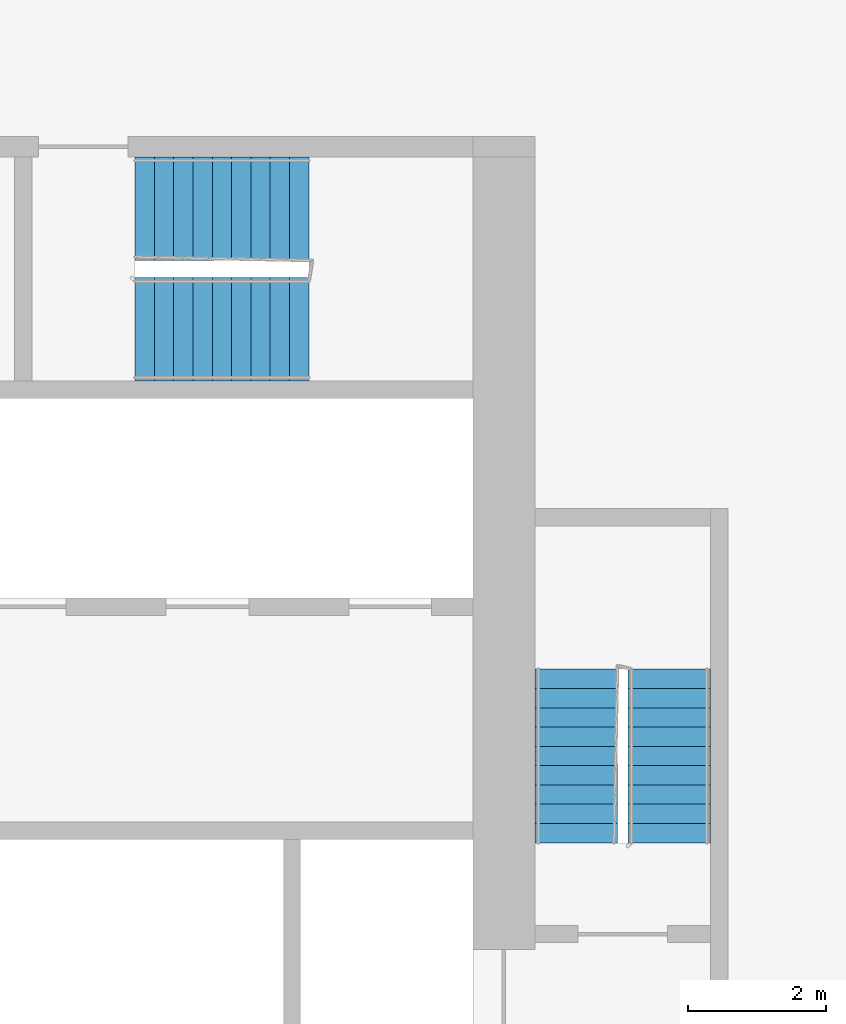
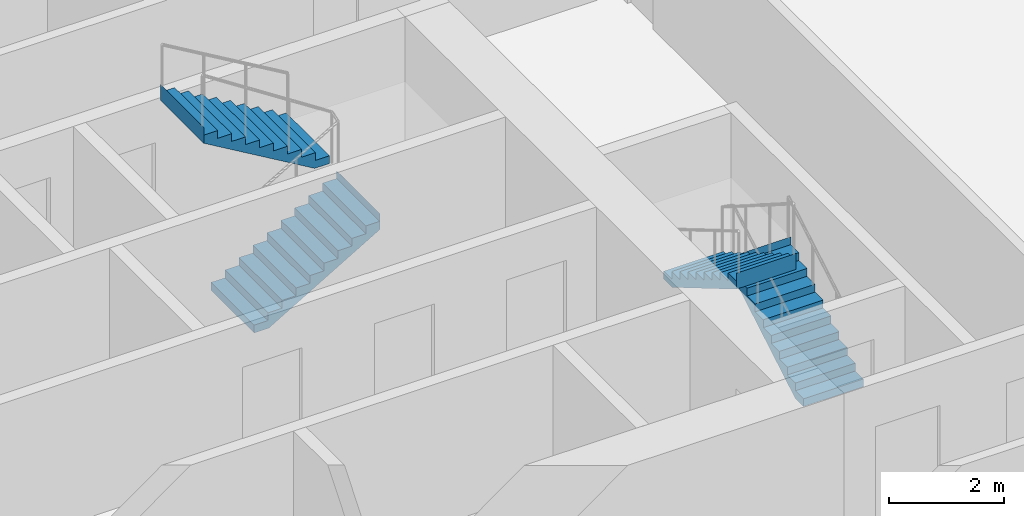
# One storey, part 11 of 12: 4 stair flights, 2 elements without a shape of their own.
"""IFC4 building model written with IfcOpenShell, lengths in metres."""

from ifc_helpers import new_model, si_unit, direction, frame, origin, place, context, subcontext, project, spatial, faceted_brep, material, type_object, element, aggregate, save


model = new_model("IFC4")

# Units and contexts
model_context = context("Model", 3, precision=1e-05, world=origin(), true_north=direction((0.0, 1.0)))
body_context = subcontext(model_context, "Body", "Model", "MODEL_VIEW")
ifc_project = project(units=[si_unit("LENGTHUNIT", "METRE"), si_unit("AREAUNIT", "SQUARE_METRE"), si_unit("VOLUMEUNIT", "CUBIC_METRE"), si_unit("PLANEANGLEUNIT", "RADIAN"), si_unit("MASSUNIT", "GRAM", prefix="KILO")], contexts=[model_context])

# Site, building, storey
site_placement = place(None, origin())
site = spatial("IfcSite", under=ifc_project, at=site_placement, CompositionType="ELEMENT")
building_placement = place(site_placement, origin())
building = spatial("IfcBuilding", under=site, at=building_placement, Name="Kajstack Hotel Tower", CompositionType="ELEMENT")
storey_placement = place(building_placement, frame((0.0, 0.0, 83.10009765625)))
storey = spatial("IfcBuildingStorey", under=building, at=storey_placement, Name="L16", CompositionType="ELEMENT", Elevation=83.10009765625)

# Stair, stair flights
ifc_material = material(Name="Concrete C40/50", Category="concrete")
stair_type_1 = type_object("IfcStairType", Name="Exit stair 1200", PredefinedType="HALF_TURN_STAIR", material=ifc_material)
stair_1_placement = place(storey_placement, origin())
stair_1 = element("IfcStair", 1, at=stair_1_placement, inside=storey, type_object=stair_type_1, Name="L16 stair E1", PredefinedType="HALF_TURN_STAIR")
stair_flight_type_1 = type_object("IfcStairFlightType", Name="Exit stair flight 1200", PredefinedType="STRAIGHT", material=ifc_material)
stair_flight_1_placement = place(storey_placement, frame((33.449951171875, 5.25, 0.0), z_axis=(0.0, 0.0, 1.0), x_axis=(0.0, 1.0, 0.0)))
stair_flight_1 = element("IfcStairFlight", 2, at=stair_flight_1_placement, type_object=stair_flight_type_1, Name="E1 flight 1", NumberOfRisers=10, NumberOfTreads=9, PredefinedType="STRAIGHT", RiserHeight=0.165, TreadLength=0.28, context=body_context, shape_type="Brep", body=[
    faceted_brep([(0.295654296875, -0.60009765625, 0.0), (2.5205078125, -0.60009765625, 1.31103515625), (2.5205078125, -0.60009765625, 1.64990234375), (2.52001953125, -0.60009765625, 1.64990234375), (2.52001953125, -0.60009765625, 1.485107421875), (2.239990234375, -0.60009765625, 1.485107421875), (2.239990234375, -0.60009765625, 1.320068359375), (1.9599609375, -0.60009765625, 1.320068359375), (1.9599609375, -0.60009765625, 1.155029296875), (1.679931640625, -0.60009765625, 1.155029296875), (1.679931640625, -0.60009765625, 0.989990234375), (1.39990234375, -0.60009765625, 0.989990234375), (1.39990234375, -0.60009765625, 0.824951171875), (1.1201171875, -0.60009765625, 0.824951171875), (1.1201171875, -0.60009765625, 0.659912109375), (0.840087890625, -0.60009765625, 0.659912109375), (0.840087890625, -0.60009765625, 0.4951171875), (0.56005859375, -0.60009765625, 0.4951171875), (0.56005859375, -0.60009765625, 0.330078125), (0.280029296875, -0.60009765625, 0.330078125), (0.280029296875, -0.60009765625, 0.1650390625), (-0.00048828125, -0.60009765625, 0.1650390625), (-0.00048828125, -0.60009765625, 0.0), (-0.00048828125, 0.60009765625, 0.0), (-0.00048828125, 0.60009765625, 0.1650390625), (0.280029296875, 0.60009765625, 0.1650390625), (0.280029296875, 0.60009765625, 0.330078125), (0.56005859375, 0.60009765625, 0.330078125), (0.56005859375, 0.60009765625, 0.4951171875), (0.840087890625, 0.60009765625, 0.4951171875), (0.840087890625, 0.60009765625, 0.659912109375), (1.1201171875, 0.60009765625, 0.659912109375), (1.1201171875, 0.60009765625, 0.824951171875), (1.39990234375, 0.60009765625, 0.824951171875), (1.39990234375, 0.60009765625, 0.989990234375), (1.679931640625, 0.60009765625, 0.989990234375), (1.679931640625, 0.60009765625, 1.155029296875), (1.9599609375, 0.60009765625, 1.155029296875), (1.9599609375, 0.60009765625, 1.320068359375), (2.239990234375, 0.60009765625, 1.320068359375), (2.239990234375, 0.60009765625, 1.485107421875), (2.52001953125, 0.60009765625, 1.485107421875), (2.52001953125, 0.60009765625, 1.64990234375), (2.5205078125, 0.60009765625, 1.64990234375), (2.5205078125, 0.60009765625, 1.31103515625), (0.295654296875, 0.60009765625, 0.0), (-0.00048828125, -0.300048828125, 0.1650390625), (-0.00048828125, 0.0, 0.1650390625), (-0.00048828125, 0.300048828125, 0.1650390625), (-0.00048828125, 0.300048828125, 0.0), (-0.00048828125, 0.0, 0.0), (-0.00048828125, -0.300048828125, 0.0), (0.280029296875, -0.300048828125, 0.1650390625), (0.280029296875, 0.0, 0.1650390625), (0.280029296875, 0.300048828125, 0.1650390625), (0.280029296875, -0.300048828125, 0.330078125), (0.280029296875, 0.0, 0.330078125), (0.280029296875, 0.300048828125, 0.330078125), (0.56005859375, -0.300048828125, 0.330078125), (0.56005859375, 0.0, 0.330078125), (0.56005859375, 0.300048828125, 0.330078125), (0.56005859375, -0.300048828125, 0.4951171875), (0.56005859375, 0.0, 0.4951171875), (0.56005859375, 0.300048828125, 0.4951171875), (0.840087890625, -0.300048828125, 0.4951171875), (0.840087890625, 0.0, 0.4951171875), (0.840087890625, 0.300048828125, 0.4951171875), (0.840087890625, -0.300048828125, 0.659912109375), (0.840087890625, 0.0, 0.659912109375), (0.840087890625, 0.300048828125, 0.659912109375), (1.1201171875, -0.300048828125, 0.659912109375), (1.1201171875, 0.0, 0.659912109375), (1.1201171875, 0.300048828125, 0.659912109375), (1.1201171875, -0.300048828125, 0.824951171875), (1.1201171875, 0.0, 0.824951171875), (1.1201171875, 0.300048828125, 0.824951171875), (1.39990234375, -0.300048828125, 0.824951171875), (1.39990234375, 0.0, 0.824951171875), (1.39990234375, 0.300048828125, 0.824951171875), (1.39990234375, -0.300048828125, 0.989990234375), (1.39990234375, 0.0, 0.989990234375), (1.39990234375, 0.300048828125, 0.989990234375), (1.679931640625, -0.300048828125, 0.989990234375), (1.679931640625, 0.0, 0.989990234375), (1.679931640625, 0.300048828125, 0.989990234375), (1.679931640625, -0.300048828125, 1.155029296875), (1.679931640625, 0.0, 1.155029296875), (1.679931640625, 0.300048828125, 1.155029296875), (1.9599609375, -0.300048828125, 1.155029296875), (1.9599609375, 0.0, 1.155029296875), (1.9599609375, 0.300048828125, 1.155029296875), (1.9599609375, -0.300048828125, 1.320068359375), (1.9599609375, 0.0, 1.320068359375), (1.9599609375, 0.300048828125, 1.320068359375), (2.239990234375, -0.300048828125, 1.320068359375), (2.239990234375, 0.0, 1.320068359375), (2.239990234375, 0.300048828125, 1.320068359375), (2.239990234375, -0.300048828125, 1.485107421875), (2.239990234375, 0.0, 1.485107421875), (2.239990234375, 0.300048828125, 1.485107421875), (2.52001953125, -0.300048828125, 1.485107421875), (2.52001953125, 0.0, 1.485107421875), (2.52001953125, 0.300048828125, 1.485107421875), (2.52001953125, -0.300048828125, 1.64990234375), (2.52001953125, 0.0, 1.64990234375), (2.52001953125, 0.300048828125, 1.64990234375), (2.5205078125, -0.300048828125, 1.64990234375), (2.5205078125, 0.0, 1.64990234375), (2.5205078125, 0.300048828125, 1.64990234375), (2.5205078125, -0.300048828125, 1.31103515625), (2.5205078125, 0.0, 1.31103515625), (2.5205078125, 0.300048828125, 1.31103515625), (0.295654296875, -0.300048828125, 0.0), (0.295654296875, 0.0, 0.0), (0.295654296875, 0.300048828125, 0.0)], [[[0, 1, 2, 3, 4, 5, 6, 7, 8, 9, 10, 11, 12, 13, 14, 15, 16, 17, 18, 19, 20, 21, 22]], [[23, 24, 25, 26, 27, 28, 29, 30, 31, 32, 33, 34, 35, 36, 37, 38, 39, 40, 41, 42, 43, 44, 45]], [[21, 46, 47, 48, 24, 23, 49, 50, 51, 22]], [[20, 52, 53, 54, 25, 24, 48, 47, 46, 21]], [[19, 55, 56, 57, 26, 25, 54, 53, 52, 20]], [[18, 58, 59, 60, 27, 26, 57, 56, 55, 19]], [[17, 61, 62, 63, 28, 27, 60, 59, 58, 18]], [[16, 64, 65, 66, 29, 28, 63, 62, 61, 17]], [[15, 67, 68, 69, 30, 29, 66, 65, 64, 16]], [[14, 70, 71, 72, 31, 30, 69, 68, 67, 15]], [[13, 73, 74, 75, 32, 31, 72, 71, 70, 14]], [[12, 76, 77, 78, 33, 32, 75, 74, 73, 13]], [[11, 79, 80, 81, 34, 33, 78, 77, 76, 12]], [[10, 82, 83, 84, 35, 34, 81, 80, 79, 11]], [[9, 85, 86, 87, 36, 35, 84, 83, 82, 10]], [[8, 88, 89, 90, 37, 36, 87, 86, 85, 9]], [[7, 91, 92, 93, 38, 37, 90, 89, 88, 8]], [[6, 94, 95, 96, 39, 38, 93, 92, 91, 7]], [[5, 97, 98, 99, 40, 39, 96, 95, 94, 6]], [[4, 100, 101, 102, 41, 40, 99, 98, 97, 5]], [[3, 103, 104, 105, 42, 41, 102, 101, 100, 4]], [[2, 106, 107, 108, 43, 42, 105, 104, 103, 3]], [[1, 109, 110, 111, 44, 43, 108, 107, 106, 2]], [[0, 112, 113, 114, 45, 44, 111, 110, 109, 1]], [[22, 51, 50, 49, 23, 45, 114, 113, 112, 0]]]),
])
stair_flight_2_placement = place(storey_placement, frame((32.10009765625, 7.77001953125, 1.64990234375), z_axis=(0.0, 0.0, 1.0), x_axis=(0.0, -1.0, 0.0)))
stair_flight_2 = element("IfcStairFlight", 3, at=stair_flight_2_placement, type_object=stair_flight_type_1, Name="E1 flight 2", NumberOfRisers=10, NumberOfTreads=9, PredefinedType="STRAIGHT", RiserHeight=0.165, TreadLength=0.28, context=body_context, shape_type="Brep", body=[
    faceted_brep([(0.295654296875, -0.60009765625, 0.0), (2.5205078125, -0.60009765625, 1.31103515625), (2.5205078125, -0.60009765625, 1.64990234375), (2.52001953125, -0.60009765625, 1.64990234375), (2.52001953125, -0.60009765625, 1.485107421875), (2.239990234375, -0.60009765625, 1.485107421875), (2.239990234375, -0.60009765625, 1.320068359375), (1.9599609375, -0.60009765625, 1.320068359375), (1.9599609375, -0.60009765625, 1.155029296875), (1.679931640625, -0.60009765625, 1.155029296875), (1.679931640625, -0.60009765625, 0.989990234375), (1.39990234375, -0.60009765625, 0.989990234375), (1.39990234375, -0.60009765625, 0.824951171875), (1.1201171875, -0.60009765625, 0.824951171875), (1.1201171875, -0.60009765625, 0.659912109375), (0.840087890625, -0.60009765625, 0.659912109375), (0.840087890625, -0.60009765625, 0.4951171875), (0.56005859375, -0.60009765625, 0.4951171875), (0.56005859375, -0.60009765625, 0.330078125), (0.280029296875, -0.60009765625, 0.330078125), (0.280029296875, -0.60009765625, 0.1650390625), (-0.00048828125, -0.60009765625, 0.1650390625), (-0.00048828125, -0.60009765625, 0.0), (-0.00048828125, 0.60009765625, 0.0), (-0.00048828125, 0.60009765625, 0.1650390625), (0.280029296875, 0.60009765625, 0.1650390625), (0.280029296875, 0.60009765625, 0.330078125), (0.56005859375, 0.60009765625, 0.330078125), (0.56005859375, 0.60009765625, 0.4951171875), (0.840087890625, 0.60009765625, 0.4951171875), (0.840087890625, 0.60009765625, 0.659912109375), (1.1201171875, 0.60009765625, 0.659912109375), (1.1201171875, 0.60009765625, 0.824951171875), (1.39990234375, 0.60009765625, 0.824951171875), (1.39990234375, 0.60009765625, 0.989990234375), (1.679931640625, 0.60009765625, 0.989990234375), (1.679931640625, 0.60009765625, 1.155029296875), (1.9599609375, 0.60009765625, 1.155029296875), (1.9599609375, 0.60009765625, 1.320068359375), (2.239990234375, 0.60009765625, 1.320068359375), (2.239990234375, 0.60009765625, 1.485107421875), (2.52001953125, 0.60009765625, 1.485107421875), (2.52001953125, 0.60009765625, 1.64990234375), (2.5205078125, 0.60009765625, 1.64990234375), (2.5205078125, 0.60009765625, 1.31103515625), (0.295654296875, 0.60009765625, 0.0), (-0.00048828125, -0.300048828125, 0.1650390625), (-0.00048828125, 0.0, 0.1650390625), (-0.00048828125, 0.300048828125, 0.1650390625), (-0.00048828125, 0.300048828125, 0.0), (-0.00048828125, 0.0, 0.0), (-0.00048828125, -0.300048828125, 0.0), (0.280029296875, -0.300048828125, 0.1650390625), (0.280029296875, 0.0, 0.1650390625), (0.280029296875, 0.300048828125, 0.1650390625), (0.280029296875, -0.300048828125, 0.330078125), (0.280029296875, 0.0, 0.330078125), (0.280029296875, 0.300048828125, 0.330078125), (0.56005859375, -0.300048828125, 0.330078125), (0.56005859375, 0.0, 0.330078125), (0.56005859375, 0.300048828125, 0.330078125), (0.56005859375, -0.300048828125, 0.4951171875), (0.56005859375, 0.0, 0.4951171875), (0.56005859375, 0.300048828125, 0.4951171875), (0.840087890625, -0.300048828125, 0.4951171875), (0.840087890625, 0.0, 0.4951171875), (0.840087890625, 0.300048828125, 0.4951171875), (0.840087890625, -0.300048828125, 0.659912109375), (0.840087890625, 0.0, 0.659912109375), (0.840087890625, 0.300048828125, 0.659912109375), (1.1201171875, -0.300048828125, 0.659912109375), (1.1201171875, 0.0, 0.659912109375), (1.1201171875, 0.300048828125, 0.659912109375), (1.1201171875, -0.300048828125, 0.824951171875), (1.1201171875, 0.0, 0.824951171875), (1.1201171875, 0.300048828125, 0.824951171875), (1.39990234375, -0.300048828125, 0.824951171875), (1.39990234375, 0.0, 0.824951171875), (1.39990234375, 0.300048828125, 0.824951171875), (1.39990234375, -0.300048828125, 0.989990234375), (1.39990234375, 0.0, 0.989990234375), (1.39990234375, 0.300048828125, 0.989990234375), (1.679931640625, -0.300048828125, 0.989990234375), (1.679931640625, 0.0, 0.989990234375), (1.679931640625, 0.300048828125, 0.989990234375), (1.679931640625, -0.300048828125, 1.155029296875), (1.679931640625, 0.0, 1.155029296875), (1.679931640625, 0.300048828125, 1.155029296875), (1.9599609375, -0.300048828125, 1.155029296875), (1.9599609375, 0.0, 1.155029296875), (1.9599609375, 0.300048828125, 1.155029296875), (1.9599609375, -0.300048828125, 1.320068359375), (1.9599609375, 0.0, 1.320068359375), (1.9599609375, 0.300048828125, 1.320068359375), (2.239990234375, -0.300048828125, 1.320068359375), (2.239990234375, 0.0, 1.320068359375), (2.239990234375, 0.300048828125, 1.320068359375), (2.239990234375, -0.300048828125, 1.485107421875), (2.239990234375, 0.0, 1.485107421875), (2.239990234375, 0.300048828125, 1.485107421875), (2.52001953125, -0.300048828125, 1.485107421875), (2.52001953125, 0.0, 1.485107421875), (2.52001953125, 0.300048828125, 1.485107421875), (2.52001953125, -0.300048828125, 1.64990234375), (2.52001953125, 0.0, 1.64990234375), (2.52001953125, 0.300048828125, 1.64990234375), (2.5205078125, -0.300048828125, 1.64990234375), (2.5205078125, 0.0, 1.64990234375), (2.5205078125, 0.300048828125, 1.64990234375), (2.5205078125, -0.300048828125, 1.31103515625), (2.5205078125, 0.0, 1.31103515625), (2.5205078125, 0.300048828125, 1.31103515625), (0.295654296875, -0.300048828125, 0.0), (0.295654296875, 0.0, 0.0), (0.295654296875, 0.300048828125, 0.0)], [[[0, 1, 2, 3, 4, 5, 6, 7, 8, 9, 10, 11, 12, 13, 14, 15, 16, 17, 18, 19, 20, 21, 22]], [[23, 24, 25, 26, 27, 28, 29, 30, 31, 32, 33, 34, 35, 36, 37, 38, 39, 40, 41, 42, 43, 44, 45]], [[21, 46, 47, 48, 24, 23, 49, 50, 51, 22]], [[20, 52, 53, 54, 25, 24, 48, 47, 46, 21]], [[19, 55, 56, 57, 26, 25, 54, 53, 52, 20]], [[18, 58, 59, 60, 27, 26, 57, 56, 55, 19]], [[17, 61, 62, 63, 28, 27, 60, 59, 58, 18]], [[16, 64, 65, 66, 29, 28, 63, 62, 61, 17]], [[15, 67, 68, 69, 30, 29, 66, 65, 64, 16]], [[14, 70, 71, 72, 31, 30, 69, 68, 67, 15]], [[13, 73, 74, 75, 32, 31, 72, 71, 70, 14]], [[12, 76, 77, 78, 33, 32, 75, 74, 73, 13]], [[11, 79, 80, 81, 34, 33, 78, 77, 76, 12]], [[10, 82, 83, 84, 35, 34, 81, 80, 79, 11]], [[9, 85, 86, 87, 36, 35, 84, 83, 82, 10]], [[8, 88, 89, 90, 37, 36, 87, 86, 85, 9]], [[7, 91, 92, 93, 38, 37, 90, 89, 88, 8]], [[6, 94, 95, 96, 39, 38, 93, 92, 91, 7]], [[5, 97, 98, 99, 40, 39, 96, 95, 94, 6]], [[4, 100, 101, 102, 41, 40, 99, 98, 97, 5]], [[3, 103, 104, 105, 42, 41, 102, 101, 100, 4]], [[2, 106, 107, 108, 43, 42, 105, 104, 103, 3]], [[1, 109, 110, 111, 44, 43, 108, 107, 106, 2]], [[0, 112, 113, 114, 45, 44, 111, 110, 109, 1]], [[22, 51, 50, 49, 23, 45, 114, 113, 112, 0]]]),
])
aggregate(stair_1, [stair_flight_1, stair_flight_2])

stair_type_2 = type_object("IfcStairType", Name="Exit stair 1500", PredefinedType="HALF_TURN_STAIR", material=ifc_material)
stair_2_placement = place(storey_placement, origin())
stair_2 = element("IfcStair", 4, at=stair_2_placement, inside=storey, type_object=stair_type_2, Name="L16 stair E3", PredefinedType="HALF_TURN_STAIR")
stair_flight_type_2 = type_object("IfcStairFlightType", Name="Exit stair flight 1500", PredefinedType="STRAIGHT", material=ifc_material)
stair_flight_3_placement = place(storey_placement, frame((25.699951171875, 12.699951171875, 0.0), z_axis=(0.0, 0.0, 1.0), x_axis=(1.0, 0.0, 0.0)))
stair_flight_3 = element("IfcStairFlight", 5, at=stair_flight_3_placement, type_object=stair_flight_type_2, Name="E3 flight 1", NumberOfRisers=10, NumberOfTreads=9, PredefinedType="STRAIGHT", RiserHeight=0.165, TreadLength=0.28, context=body_context, shape_type="Brep", body=[
    faceted_brep([(0.295654296875, -0.75, 0.0), (2.5205078125, -0.75, 1.31103515625), (2.5205078125, -0.75, 1.64990234375), (2.52001953125, -0.75, 1.64990234375), (2.52001953125, -0.75, 1.485107421875), (2.239990234375, -0.75, 1.485107421875), (2.239990234375, -0.75, 1.320068359375), (1.9599609375, -0.75, 1.320068359375), (1.9599609375, -0.75, 1.155029296875), (1.679931640625, -0.75, 1.155029296875), (1.679931640625, -0.75, 0.989990234375), (1.39990234375, -0.75, 0.989990234375), (1.39990234375, -0.75, 0.824951171875), (1.1201171875, -0.75, 0.824951171875), (1.1201171875, -0.75, 0.659912109375), (0.840087890625, -0.75, 0.659912109375), (0.840087890625, -0.75, 0.4951171875), (0.56005859375, -0.75, 0.4951171875), (0.56005859375, -0.75, 0.330078125), (0.280029296875, -0.75, 0.330078125), (0.280029296875, -0.75, 0.1650390625), (-0.00048828125, -0.75, 0.1650390625), (-0.00048828125, -0.75, 0.0), (-0.00048828125, 0.75, 0.0), (-0.00048828125, 0.75, 0.1650390625), (0.280029296875, 0.75, 0.1650390625), (0.280029296875, 0.75, 0.330078125), (0.56005859375, 0.75, 0.330078125), (0.56005859375, 0.75, 0.4951171875), (0.840087890625, 0.75, 0.4951171875), (0.840087890625, 0.75, 0.659912109375), (1.1201171875, 0.75, 0.659912109375), (1.1201171875, 0.75, 0.824951171875), (1.39990234375, 0.75, 0.824951171875), (1.39990234375, 0.75, 0.989990234375), (1.679931640625, 0.75, 0.989990234375), (1.679931640625, 0.75, 1.155029296875), (1.9599609375, 0.75, 1.155029296875), (1.9599609375, 0.75, 1.320068359375), (2.239990234375, 0.75, 1.320068359375), (2.239990234375, 0.75, 1.485107421875), (2.52001953125, 0.75, 1.485107421875), (2.52001953125, 0.75, 1.64990234375), (2.5205078125, 0.75, 1.64990234375), (2.5205078125, 0.75, 1.31103515625), (0.295654296875, 0.75, 0.0), (-0.00048828125, -0.375, 0.1650390625), (-0.00048828125, 0.0, 0.1650390625), (-0.00048828125, 0.375, 0.1650390625), (-0.00048828125, 0.375, 0.0), (-0.00048828125, 0.0, 0.0), (-0.00048828125, -0.375, 0.0), (0.280029296875, -0.375, 0.1650390625), (0.280029296875, 0.0, 0.1650390625), (0.280029296875, 0.375, 0.1650390625), (0.280029296875, -0.375, 0.330078125), (0.280029296875, 0.0, 0.330078125), (0.280029296875, 0.375, 0.330078125), (0.56005859375, -0.375, 0.330078125), (0.56005859375, 0.0, 0.330078125), (0.56005859375, 0.375, 0.330078125), (0.56005859375, -0.375, 0.4951171875), (0.56005859375, 0.0, 0.4951171875), (0.56005859375, 0.375, 0.4951171875), (0.840087890625, -0.375, 0.4951171875), (0.840087890625, 0.0, 0.4951171875), (0.840087890625, 0.375, 0.4951171875), (0.840087890625, -0.375, 0.659912109375), (0.840087890625, 0.0, 0.659912109375), (0.840087890625, 0.375, 0.659912109375), (1.1201171875, -0.375, 0.659912109375), (1.1201171875, 0.0, 0.659912109375), (1.1201171875, 0.375, 0.659912109375), (1.1201171875, -0.375, 0.824951171875), (1.1201171875, 0.0, 0.824951171875), (1.1201171875, 0.375, 0.824951171875), (1.39990234375, -0.375, 0.824951171875), (1.39990234375, 0.0, 0.824951171875), (1.39990234375, 0.375, 0.824951171875), (1.39990234375, -0.375, 0.989990234375), (1.39990234375, 0.0, 0.989990234375), (1.39990234375, 0.375, 0.989990234375), (1.679931640625, -0.375, 0.989990234375), (1.679931640625, 0.0, 0.989990234375), (1.679931640625, 0.375, 0.989990234375), (1.679931640625, -0.375, 1.155029296875), (1.679931640625, 0.0, 1.155029296875), (1.679931640625, 0.375, 1.155029296875), (1.9599609375, -0.375, 1.155029296875), (1.9599609375, 0.0, 1.155029296875), (1.9599609375, 0.375, 1.155029296875), (1.9599609375, -0.375, 1.320068359375), (1.9599609375, 0.0, 1.320068359375), (1.9599609375, 0.375, 1.320068359375), (2.239990234375, -0.375, 1.320068359375), (2.239990234375, 0.0, 1.320068359375), (2.239990234375, 0.375, 1.320068359375), (2.239990234375, -0.375, 1.485107421875), (2.239990234375, 0.0, 1.485107421875), (2.239990234375, 0.375, 1.485107421875), (2.52001953125, -0.375, 1.485107421875), (2.52001953125, 0.0, 1.485107421875), (2.52001953125, 0.375, 1.485107421875), (2.52001953125, -0.375, 1.64990234375), (2.52001953125, 0.0, 1.64990234375), (2.52001953125, 0.375, 1.64990234375), (2.5205078125, -0.375, 1.64990234375), (2.5205078125, 0.0, 1.64990234375), (2.5205078125, 0.375, 1.64990234375), (2.5205078125, -0.375, 1.31103515625), (2.5205078125, 0.0, 1.31103515625), (2.5205078125, 0.375, 1.31103515625), (0.295654296875, -0.375, 0.0), (0.295654296875, 0.0, 0.0), (0.295654296875, 0.375, 0.0)], [[[0, 1, 2, 3, 4, 5, 6, 7, 8, 9, 10, 11, 12, 13, 14, 15, 16, 17, 18, 19, 20, 21, 22]], [[23, 24, 25, 26, 27, 28, 29, 30, 31, 32, 33, 34, 35, 36, 37, 38, 39, 40, 41, 42, 43, 44, 45]], [[21, 46, 47, 48, 24, 23, 49, 50, 51, 22]], [[20, 52, 53, 54, 25, 24, 48, 47, 46, 21]], [[19, 55, 56, 57, 26, 25, 54, 53, 52, 20]], [[18, 58, 59, 60, 27, 26, 57, 56, 55, 19]], [[17, 61, 62, 63, 28, 27, 60, 59, 58, 18]], [[16, 64, 65, 66, 29, 28, 63, 62, 61, 17]], [[15, 67, 68, 69, 30, 29, 66, 65, 64, 16]], [[14, 70, 71, 72, 31, 30, 69, 68, 67, 15]], [[13, 73, 74, 75, 32, 31, 72, 71, 70, 14]], [[12, 76, 77, 78, 33, 32, 75, 74, 73, 13]], [[11, 79, 80, 81, 34, 33, 78, 77, 76, 12]], [[10, 82, 83, 84, 35, 34, 81, 80, 79, 11]], [[9, 85, 86, 87, 36, 35, 84, 83, 82, 10]], [[8, 88, 89, 90, 37, 36, 87, 86, 85, 9]], [[7, 91, 92, 93, 38, 37, 90, 89, 88, 8]], [[6, 94, 95, 96, 39, 38, 93, 92, 91, 7]], [[5, 97, 98, 99, 40, 39, 96, 95, 94, 6]], [[4, 100, 101, 102, 41, 40, 99, 98, 97, 5]], [[3, 103, 104, 105, 42, 41, 102, 101, 100, 4]], [[2, 106, 107, 108, 43, 42, 105, 104, 103, 3]], [[1, 109, 110, 111, 44, 43, 108, 107, 106, 2]], [[0, 112, 113, 114, 45, 44, 111, 110, 109, 1]], [[22, 51, 50, 49, 23, 45, 114, 113, 112, 0]]]),
])
stair_flight_4_placement = place(storey_placement, frame((28.219970703125, 14.449951171875, 1.64990234375), z_axis=(0.0, 0.0, 1.0), x_axis=(-1.0, 0.0, 0.0)))
stair_flight_4 = element("IfcStairFlight", 6, at=stair_flight_4_placement, type_object=stair_flight_type_2, Name="E3 flight 2", NumberOfRisers=10, NumberOfTreads=9, PredefinedType="STRAIGHT", RiserHeight=0.165, TreadLength=0.28, context=body_context, shape_type="Brep", body=[
    faceted_brep([(0.295654296875, -0.75, 0.0), (2.5205078125, -0.75, 1.31103515625), (2.5205078125, -0.75, 1.64990234375), (2.52001953125, -0.75, 1.64990234375), (2.52001953125, -0.75, 1.485107421875), (2.239990234375, -0.75, 1.485107421875), (2.239990234375, -0.75, 1.320068359375), (1.9599609375, -0.75, 1.320068359375), (1.9599609375, -0.75, 1.155029296875), (1.679931640625, -0.75, 1.155029296875), (1.679931640625, -0.75, 0.989990234375), (1.39990234375, -0.75, 0.989990234375), (1.39990234375, -0.75, 0.824951171875), (1.1201171875, -0.75, 0.824951171875), (1.1201171875, -0.75, 0.659912109375), (0.840087890625, -0.75, 0.659912109375), (0.840087890625, -0.75, 0.4951171875), (0.56005859375, -0.75, 0.4951171875), (0.56005859375, -0.75, 0.330078125), (0.280029296875, -0.75, 0.330078125), (0.280029296875, -0.75, 0.1650390625), (-0.00048828125, -0.75, 0.1650390625), (-0.00048828125, -0.75, 0.0), (-0.00048828125, 0.75, 0.0), (-0.00048828125, 0.75, 0.1650390625), (0.280029296875, 0.75, 0.1650390625), (0.280029296875, 0.75, 0.330078125), (0.56005859375, 0.75, 0.330078125), (0.56005859375, 0.75, 0.4951171875), (0.840087890625, 0.75, 0.4951171875), (0.840087890625, 0.75, 0.659912109375), (1.1201171875, 0.75, 0.659912109375), (1.1201171875, 0.75, 0.824951171875), (1.39990234375, 0.75, 0.824951171875), (1.39990234375, 0.75, 0.989990234375), (1.679931640625, 0.75, 0.989990234375), (1.679931640625, 0.75, 1.155029296875), (1.9599609375, 0.75, 1.155029296875), (1.9599609375, 0.75, 1.320068359375), (2.239990234375, 0.75, 1.320068359375), (2.239990234375, 0.75, 1.485107421875), (2.52001953125, 0.75, 1.485107421875), (2.52001953125, 0.75, 1.64990234375), (2.5205078125, 0.75, 1.64990234375), (2.5205078125, 0.75, 1.31103515625), (0.295654296875, 0.75, 0.0), (-0.00048828125, -0.375, 0.1650390625), (-0.00048828125, 0.0, 0.1650390625), (-0.00048828125, 0.375, 0.1650390625), (-0.00048828125, 0.375, 0.0), (-0.00048828125, 0.0, 0.0), (-0.00048828125, -0.375, 0.0), (0.280029296875, -0.375, 0.1650390625), (0.280029296875, 0.0, 0.1650390625), (0.280029296875, 0.375, 0.1650390625), (0.280029296875, -0.375, 0.330078125), (0.280029296875, 0.0, 0.330078125), (0.280029296875, 0.375, 0.330078125), (0.56005859375, -0.375, 0.330078125), (0.56005859375, 0.0, 0.330078125), (0.56005859375, 0.375, 0.330078125), (0.56005859375, -0.375, 0.4951171875), (0.56005859375, 0.0, 0.4951171875), (0.56005859375, 0.375, 0.4951171875), (0.840087890625, -0.375, 0.4951171875), (0.840087890625, 0.0, 0.4951171875), (0.840087890625, 0.375, 0.4951171875), (0.840087890625, -0.375, 0.659912109375), (0.840087890625, 0.0, 0.659912109375), (0.840087890625, 0.375, 0.659912109375), (1.1201171875, -0.375, 0.659912109375), (1.1201171875, 0.0, 0.659912109375), (1.1201171875, 0.375, 0.659912109375), (1.1201171875, -0.375, 0.824951171875), (1.1201171875, 0.0, 0.824951171875), (1.1201171875, 0.375, 0.824951171875), (1.39990234375, -0.375, 0.824951171875), (1.39990234375, 0.0, 0.824951171875), (1.39990234375, 0.375, 0.824951171875), (1.39990234375, -0.375, 0.989990234375), (1.39990234375, 0.0, 0.989990234375), (1.39990234375, 0.375, 0.989990234375), (1.679931640625, -0.375, 0.989990234375), (1.679931640625, 0.0, 0.989990234375), (1.679931640625, 0.375, 0.989990234375), (1.679931640625, -0.375, 1.155029296875), (1.679931640625, 0.0, 1.155029296875), (1.679931640625, 0.375, 1.155029296875), (1.9599609375, -0.375, 1.155029296875), (1.9599609375, 0.0, 1.155029296875), (1.9599609375, 0.375, 1.155029296875), (1.9599609375, -0.375, 1.320068359375), (1.9599609375, 0.0, 1.320068359375), (1.9599609375, 0.375, 1.320068359375), (2.239990234375, -0.375, 1.320068359375), (2.239990234375, 0.0, 1.320068359375), (2.239990234375, 0.375, 1.320068359375), (2.239990234375, -0.375, 1.485107421875), (2.239990234375, 0.0, 1.485107421875), (2.239990234375, 0.375, 1.485107421875), (2.52001953125, -0.375, 1.485107421875), (2.52001953125, 0.0, 1.485107421875), (2.52001953125, 0.375, 1.485107421875), (2.52001953125, -0.375, 1.64990234375), (2.52001953125, 0.0, 1.64990234375), (2.52001953125, 0.375, 1.64990234375), (2.5205078125, -0.375, 1.64990234375), (2.5205078125, 0.0, 1.64990234375), (2.5205078125, 0.375, 1.64990234375), (2.5205078125, -0.375, 1.31103515625), (2.5205078125, 0.0, 1.31103515625), (2.5205078125, 0.375, 1.31103515625), (0.295654296875, -0.375, 0.0), (0.295654296875, 0.0, 0.0), (0.295654296875, 0.375, 0.0)], [[[0, 1, 2, 3, 4, 5, 6, 7, 8, 9, 10, 11, 12, 13, 14, 15, 16, 17, 18, 19, 20, 21, 22]], [[23, 24, 25, 26, 27, 28, 29, 30, 31, 32, 33, 34, 35, 36, 37, 38, 39, 40, 41, 42, 43, 44, 45]], [[21, 46, 47, 48, 24, 23, 49, 50, 51, 22]], [[20, 52, 53, 54, 25, 24, 48, 47, 46, 21]], [[19, 55, 56, 57, 26, 25, 54, 53, 52, 20]], [[18, 58, 59, 60, 27, 26, 57, 56, 55, 19]], [[17, 61, 62, 63, 28, 27, 60, 59, 58, 18]], [[16, 64, 65, 66, 29, 28, 63, 62, 61, 17]], [[15, 67, 68, 69, 30, 29, 66, 65, 64, 16]], [[14, 70, 71, 72, 31, 30, 69, 68, 67, 15]], [[13, 73, 74, 75, 32, 31, 72, 71, 70, 14]], [[12, 76, 77, 78, 33, 32, 75, 74, 73, 13]], [[11, 79, 80, 81, 34, 33, 78, 77, 76, 12]], [[10, 82, 83, 84, 35, 34, 81, 80, 79, 11]], [[9, 85, 86, 87, 36, 35, 84, 83, 82, 10]], [[8, 88, 89, 90, 37, 36, 87, 86, 85, 9]], [[7, 91, 92, 93, 38, 37, 90, 89, 88, 8]], [[6, 94, 95, 96, 39, 38, 93, 92, 91, 7]], [[5, 97, 98, 99, 40, 39, 96, 95, 94, 6]], [[4, 100, 101, 102, 41, 40, 99, 98, 97, 5]], [[3, 103, 104, 105, 42, 41, 102, 101, 100, 4]], [[2, 106, 107, 108, 43, 42, 105, 104, 103, 3]], [[1, 109, 110, 111, 44, 43, 108, 107, 106, 2]], [[0, 112, 113, 114, 45, 44, 111, 110, 109, 1]], [[22, 51, 50, 49, 23, 45, 114, 113, 112, 0]]]),
])
aggregate(stair_2, [stair_flight_3, stair_flight_4])

save(model, "model.ifc")
